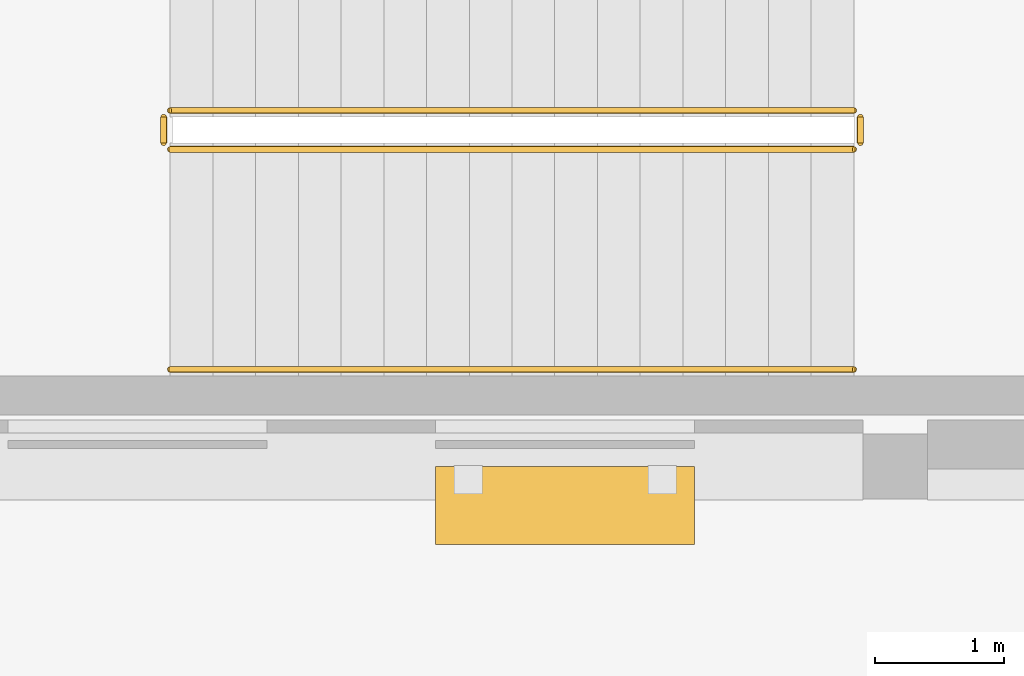
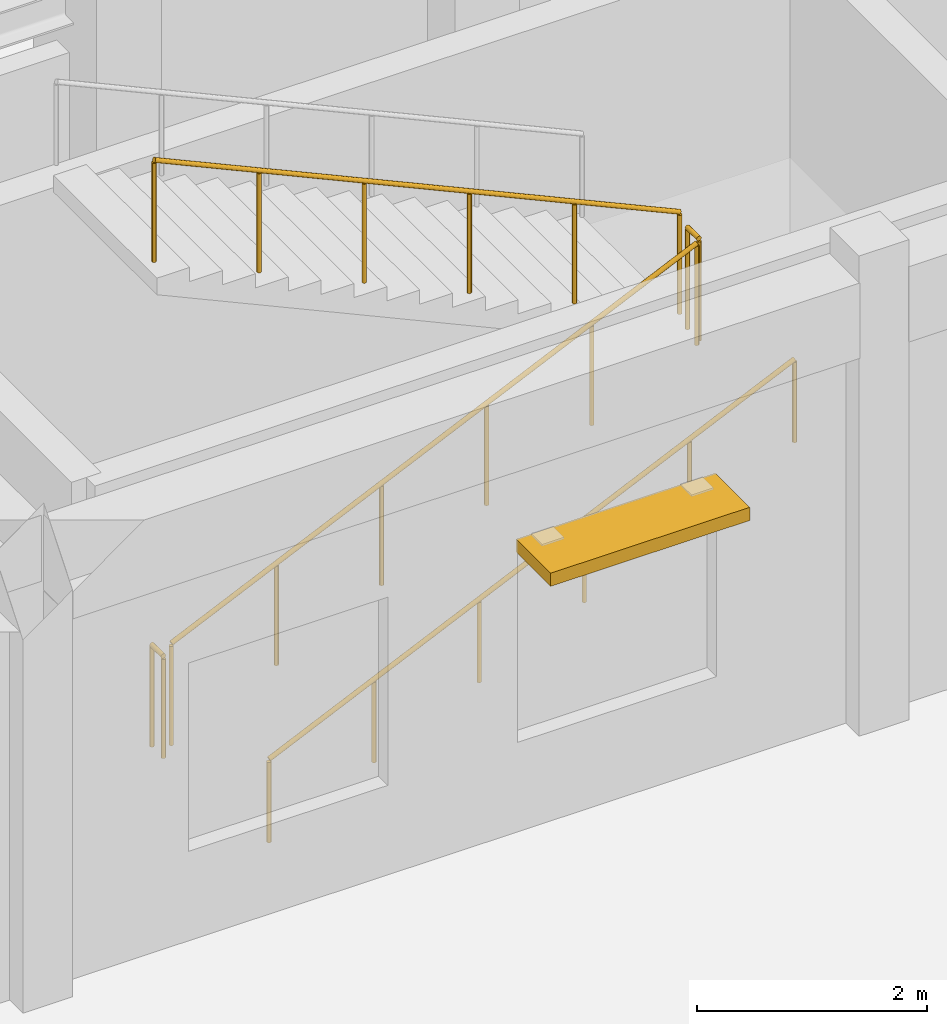
# One storey, part 117 of 121: 5 railings, 1 shading device.
"""IFC4 building model written with IfcOpenShell, lengths in metres."""

from ifc_helpers import new_model, si_unit, direction, frame, origin, origin_2d, place, context, subcontext, project, spatial, rectangle, circle, extrude, material, layer, layer_set, type_object, element, save


model = new_model("IFC4")

# Units and contexts
model_context = context("Model", 3, precision=1e-05, world=origin(), true_north=direction((0.0, 1.0)))
body_context = subcontext(model_context, "Body", "Model", "MODEL_VIEW")
ifc_project = project(units=[si_unit("LENGTHUNIT", "METRE"), si_unit("AREAUNIT", "SQUARE_METRE"), si_unit("VOLUMEUNIT", "CUBIC_METRE"), si_unit("PLANEANGLEUNIT", "RADIAN"), si_unit("MASSUNIT", "GRAM", prefix="KILO")], contexts=[model_context])

# Site, building, storey
site_placement = place(None, origin())
site = spatial("IfcSite", under=ifc_project, at=site_placement, CompositionType="ELEMENT")
building_placement = place(site_placement, origin())
building = spatial("IfcBuilding", under=site, at=building_placement, Name="Malvenik Polytechnic", CompositionType="ELEMENT")
storey_placement = place(building_placement, origin())
storey = spatial("IfcBuildingStorey", under=building, at=storey_placement, Name="L00", CompositionType="ELEMENT", Elevation=0.0)

# Railings
ifc_material_1 = material(Name="Painted galvanised steel stair well balustrade 1100mm", Category="steel")
ifc_layer_1 = layer(ifc_material_1, 0.050048828125)
ifc_layer_set_1 = layer_set([ifc_layer_1], Name="Painted galvanised steel stair well balustrade 1100mm")
railing_type_1 = type_object("IfcRailingType", Name="ARC-RL-STGD", PredefinedType="BALUSTRADE", material=ifc_layer_set_1)
railing_1_placement = place(storey_placement, frame((154.0, 31.25, 0.14990234375)))
element("IfcRailing", 1, at=railing_1_placement, inside=storey, type_object=railing_type_1, Name="L00 ST-13 stair guard 1", PredefinedType="BALUSTRADE", context=body_context, shape_type="SweptSolid", body=[
    extrude(circle(Radius=0.02392578125, at=origin_2d()), frame((0.0, 0.0, 1.076171875), z_axis=(0.910357827898, 0.0, 0.413821972815), x_axis=(0.0, 1.0, 0.0)), (0.0, 0.0, 1.0), 5.800048828125),
    extrude(circle(Radius=0.02099609375, at=origin_2d()), origin(), (0.0, 0.0, 1.0), 1.052001953125),
    extrude(circle(Radius=0.02099609375, at=origin_2d()), frame((1.055908203125, 0.0, 0.47998046875)), (0.0, 0.0, 1.0), 1.052001953125),
    extrude(circle(Radius=0.02099609375, at=origin_2d()), frame((2.112060546875, 0.0, 0.9599609375)), (0.0, 0.0, 1.0), 1.052001953125),
    extrude(circle(Radius=0.02099609375, at=origin_2d()), frame((3.16796875, 0.0, 1.440185546875)), (0.0, 0.0, 1.0), 1.052001953125),
    extrude(circle(Radius=0.02099609375, at=origin_2d()), frame((4.22412109375, 0.0, 1.920166015625)), (0.0, 0.0, 1.0), 1.052001953125),
    extrude(circle(Radius=0.02099609375, at=origin_2d()), frame((5.280029296875, 0.0, 2.400146484375)), (0.0, 0.0, 1.0), 1.052001953125),
])
railing_2_placement = place(storey_placement, frame((159.330078125, 31.300048828125, 2.550048828125)))
element("IfcRailing", 2, at=railing_2_placement, inside=storey, type_object=railing_type_1, Name="L00 ST-13 stair guard 2", PredefinedType="BALUSTRADE", context=body_context, shape_type="SweptSolid", body=[
    extrude(circle(Radius=0.02392578125, at=origin_2d()), frame((0.0, 0.0, 1.076171875), z_axis=(0.0, 1.0, 0.0), x_axis=(-1.0, 0.0, 0.0)), (0.0, 0.0, 1.0), 0.199951171875),
    extrude(circle(Radius=0.02099609375, at=origin_2d()), origin(), (0.0, 0.0, 1.0), 1.052001953125),
    extrude(circle(Radius=0.02099609375, at=origin_2d()), frame((0.0, 0.199951171875, 0.0)), (0.0, 0.0, 1.0), 1.052001953125),
])
railing_3_placement = place(storey_placement, frame((159.280029296875, 31.550048828125, 2.699951171875)))
element("IfcRailing", 3, at=railing_3_placement, inside=storey, type_object=railing_type_1, Name="L00 ST-13 stair guard 3", PredefinedType="BALUSTRADE", context=body_context, shape_type="SweptSolid", body=[
    extrude(circle(Radius=0.02392578125, at=origin_2d()), frame((0.0, 0.0, 1.076171875), z_axis=(-0.910357827898, 0.0, 0.413821972815), x_axis=(0.0, -1.0, 0.0)), (0.0, 0.0, 1.0), 5.800048828125),
    extrude(circle(Radius=0.02099609375, at=origin_2d()), origin(), (0.0, 0.0, 1.0), 1.052001953125),
    extrude(circle(Radius=0.02099609375, at=origin_2d()), frame((-1.055908203125, 0.0, 0.47998046875)), (0.0, 0.0, 1.0), 1.052001953125),
    extrude(circle(Radius=0.02099609375, at=origin_2d()), frame((-2.112060546875, 0.0, 0.9599609375)), (0.0, 0.0, 1.0), 1.052001953125),
    extrude(circle(Radius=0.02099609375, at=origin_2d()), frame((-3.16796875, 0.0, 1.440185546875)), (0.0, 0.0, 1.0), 1.052001953125),
    extrude(circle(Radius=0.02099609375, at=origin_2d()), frame((-4.22412109375, 0.0, 1.920166015625)), (0.0, 0.0, 1.0), 1.052001953125),
    extrude(circle(Radius=0.02099609375, at=origin_2d()), frame((-5.280029296875, 0.0, 2.400146484375)), (0.0, 0.0, 1.0), 1.052001953125),
])
railing_4_placement = place(storey_placement, frame((153.949951171875, 31.300048828125, 0.0)))
element("IfcRailing", 4, at=railing_4_placement, inside=storey, type_object=railing_type_1, Name="L00 ST-13 stair guard 4", PredefinedType="BALUSTRADE", context=body_context, shape_type="SweptSolid", body=[
    extrude(circle(Radius=0.02392578125, at=origin_2d()), frame((0.0, 0.0, 1.076171875), z_axis=(0.0, 1.0, 0.0), x_axis=(-1.0, 0.0, 0.0)), (0.0, 0.0, 1.0), 0.199951171875),
    extrude(circle(Radius=0.02099609375, at=origin_2d()), origin(), (0.0, 0.0, 1.0), 1.052001953125),
    extrude(circle(Radius=0.02099609375, at=origin_2d()), frame((0.0, 0.199951171875, 0.0)), (0.0, 0.0, 1.0), 1.052001953125),
])
ifc_material_2 = material(Name="Brushed stainless steel 1.4301 stair wall handrail", Category="steel")
ifc_layer_2 = layer(ifc_material_2, 0.044921875)
ifc_layer_set_2 = layer_set([ifc_layer_2], Name="Brushed stainless steel 1.4301 stair wall handrail")
railing_type_2 = type_object("IfcRailingType", Name="ARC-RL-STHR", PredefinedType="HANDRAIL", material=ifc_layer_set_2)
railing_5_placement = place(storey_placement, frame((154.0, 29.550048828125, 0.14990234375)))
element("IfcRailing", 5, at=railing_5_placement, inside=storey, type_object=railing_type_2, Name="L00 ST-13 stair handrail 1", PredefinedType="HANDRAIL", context=body_context, shape_type="SweptSolid", body=[
    extrude(circle(Radius=0.02392578125, at=origin_2d()), frame((0.0, 0.0, 0.8759765625), z_axis=(0.910357827898, 0.0, 0.413821972815), x_axis=(0.0, 1.0, 0.0)), (0.0, 0.0, 1.0), 5.800048828125),
    extrude(circle(Radius=0.02099609375, at=origin_2d()), origin(), (0.0, 0.0, 1.0), 0.851806640625),
    extrude(circle(Radius=0.02099609375, at=origin_2d()), frame((1.055908203125, 0.0, 0.47998046875)), (0.0, 0.0, 1.0), 0.851806640625),
    extrude(circle(Radius=0.02099609375, at=origin_2d()), frame((2.112060546875, 0.0, 0.9599609375)), (0.0, 0.0, 1.0), 0.851806640625),
    extrude(circle(Radius=0.02099609375, at=origin_2d()), frame((3.16796875, 0.0, 1.440185546875)), (0.0, 0.0, 1.0), 0.851806640625),
    extrude(circle(Radius=0.02099609375, at=origin_2d()), frame((4.22412109375, 0.0, 1.920166015625)), (0.0, 0.0, 1.0), 0.851806640625),
    extrude(circle(Radius=0.02099609375, at=origin_2d()), frame((5.280029296875, 0.0, 2.400146484375)), (0.0, 0.0, 1.0), 0.851806640625),
])

# Shading device
ifc_material_3 = material(Name="Extruded anodised aluminium solar brise-soleil louvre", Category="aluminium")
shading_device_type = type_object("IfcShadingDeviceType", Name="ARC-SHD-LOUVRE", PredefinedType="JALOUSIE", material=ifc_material_3)
shading_device_placement = place(storey_placement, frame((157.05078125, 28.5, 2.9599609375), z_axis=(0.0, 0.0, 1.0), x_axis=(1.0, 0.0, 0.0)))
element("IfcShadingDevice", 6, at=shading_device_placement, inside=storey, type_object=shading_device_type, Name="Solar Brise-Soleil Louvre SH-01 #16", PredefinedType="JALOUSIE", context=body_context, shape_type="SweptSolid", body=[
    extrude(rectangle(XDim=2.0, YDim=0.60009765625, at=origin_2d()), origin(), (0.0, 0.0, 1.0), 0.139892578125),
])

save(model, "model.ifc")
